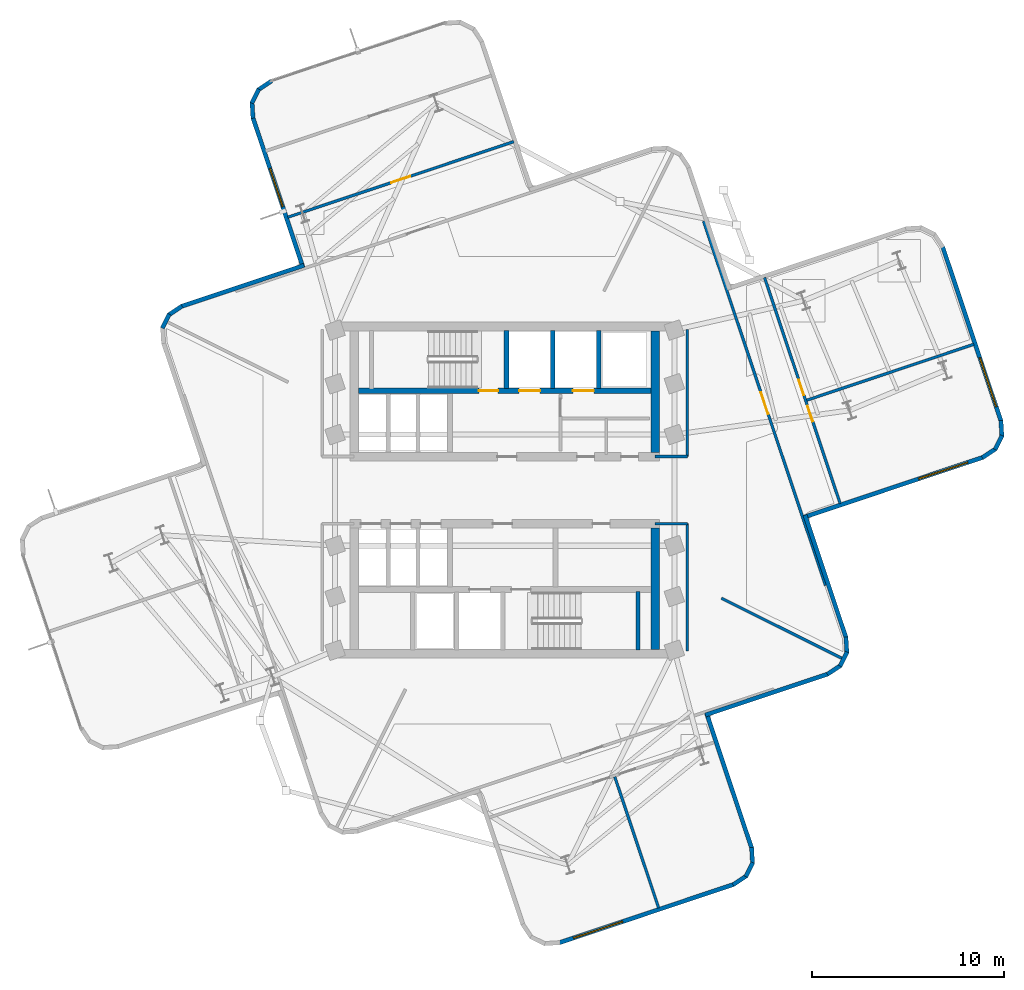
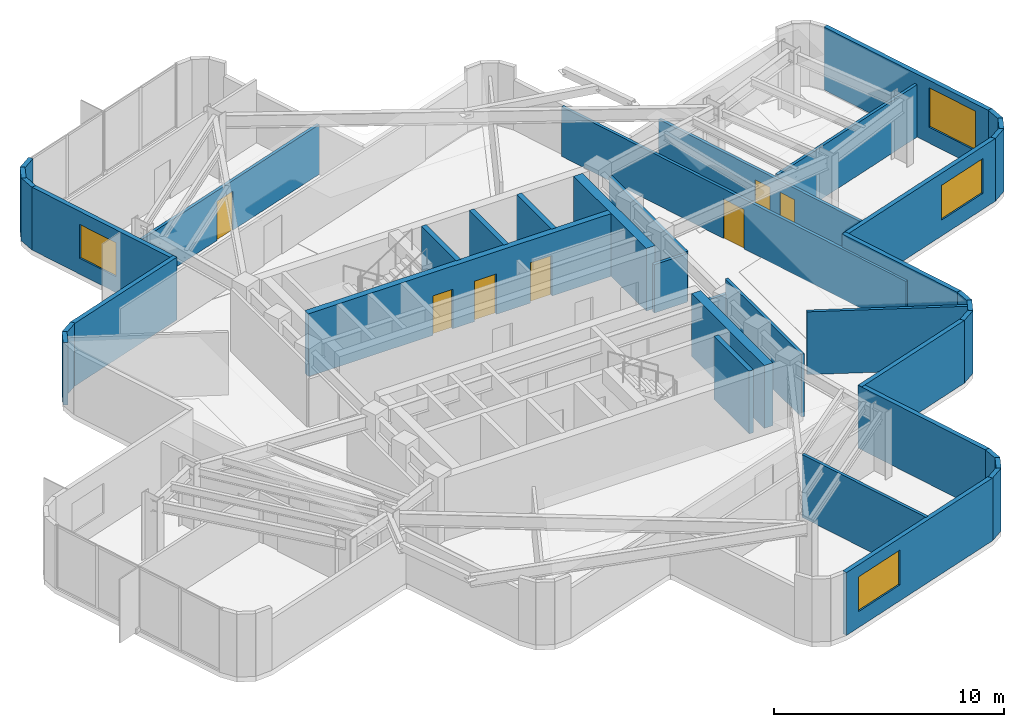
# One storey, part 8 of 12: 39 walls, 7 doors, 4 windows, 11 openings.
"""IFC4 building model written with IfcOpenShell, lengths in metres."""

from ifc_helpers import new_model, si_unit, direction, frame, frame_2d, origin, place, context, subcontext, project, spatial, rectangle, extrude, material, layer, layer_set, type_object, element, fill, save


model = new_model("IFC4")

# Units and contexts
model_context = context("Model", 3, precision=1e-05, world=origin(), true_north=direction((0.0, 1.0)))
body_context = subcontext(model_context, "Body", "Model", "MODEL_VIEW")
ifc_project = project(units=[si_unit("LENGTHUNIT", "METRE"), si_unit("AREAUNIT", "SQUARE_METRE"), si_unit("VOLUMEUNIT", "CUBIC_METRE"), si_unit("PLANEANGLEUNIT", "RADIAN"), si_unit("MASSUNIT", "GRAM", prefix="KILO")], contexts=[model_context])

# Site, building, storey
site_placement = place(None, origin())
site = spatial("IfcSite", under=ifc_project, at=site_placement, CompositionType="ELEMENT")
building_placement = place(site_placement, origin())
building = spatial("IfcBuilding", under=site, at=building_placement, Name="Solmarez Civic Tower", CompositionType="ELEMENT")
storey_placement = place(building_placement, frame((0.0, 0.0, 163.080078125)))
storey = spatial("IfcBuildingStorey", under=building, at=storey_placement, Name="L43", CompositionType="ELEMENT", Elevation=163.080078125)

# Walls
ifc_material_1 = material(Name="Concrete C50/60", Category="concrete")
ifc_layer_1 = layer(ifc_material_1, 0.449951171875)
ifc_layer_set_1 = layer_set([ifc_layer_1], Name="Concrete C50/60")
wall_type_1 = type_object("IfcWallType", Name="WALL-CORE-450", PredefinedType="SHEAR", material=ifc_layer_set_1)
for number, where, z_axis, x_axis, name in (
    (1, (7.844970703125, 8.31005859375, 0.0), (0.0, 0.0, 1.0), (0.0, -1.0, 0.0), "L43 Split-Core Structural Wall NCW-E-L43"),
    (2, (7.844970703125, -1.97509765625, 0.0), (0.0, 0.0, 1.0), (0.0, -1.0, 0.0), "L43 Split-Core Structural Wall SCW-E-L43"),
):
    element("IfcWall", number, at=place(storey_placement, frame(where, z_axis=z_axis, x_axis=x_axis)), inside=storey, type_object=wall_type_1, Name=name, PredefinedType="SHEAR", context=body_context, shape_type="SweptSolid", body=[
        extrude(rectangle(XDim=6.3349609375, YDim=0.449951171875, at=frame_2d((3.16748046875, 0.0))), origin(), (0.0, 0.0, 1.0), 3.33984375),
    ])
ifc_material_2 = material(Name="Precast concrete C40/50", Category="concrete")
ifc_layer_2 = layer(ifc_material_2, 0.219970703125)
ifc_layer_set_2 = layer_set([ifc_layer_2], Name="Precast concrete C40/50")
wall_type_2 = type_object("IfcWallType", Name="WALL-EXT-220", PredefinedType="SOLIDWALL", material=ifc_layer_set_2)
wall_1_placement = place(storey_placement, frame((-17.85693359375, 8.446044921875, 0.0), z_axis=(0.0, 0.0, 1.0), x_axis=(0.446258139106, 0.894904281631, 0.0)))
element("IfcWall", 3, at=wall_1_placement, inside=storey, type_object=wall_type_2, Name="L43 Exterior Precast Wall 15", PredefinedType="SOLIDWALL", context=body_context, shape_type="SweptSolid", body=[
    extrude(rectangle(XDim=0.81787109375, YDim=0.219970703125, at=frame_2d((0.408935546875, 0.0))), origin(), (0.0, 0.0, 1.0), 3.33984375),
])
wall_2_placement = place(storey_placement, frame((-17.52392578125, 9.14208984375, 0.0), z_axis=(0.0, 0.0, 1.0), x_axis=(0.833756011094, 0.552133058206, 0.0)))
element("IfcWall", 4, at=wall_2_placement, inside=storey, type_object=wall_type_2, Name="L43 Exterior Precast Wall 16", PredefinedType="SOLIDWALL", context=body_context, shape_type="SweptSolid", body=[
    extrude(rectangle(XDim=0.834716796875, YDim=0.219970703125, at=frame_2d((0.41748046875, 0.0))), origin(), (0.0, 0.0, 1.0), 3.33984375),
])
wall_3_placement = place(storey_placement, frame((-16.873046875, 9.5810546875, 0.0), z_axis=(0.0, 0.0, 1.0), x_axis=(0.94829606055, 0.317387116224, 0.0)))
element("IfcWall", 5, at=wall_3_placement, inside=storey, type_object=wall_type_2, Name="L43 Exterior Precast Wall 17", PredefinedType="SOLIDWALL", context=body_context, shape_type="SweptSolid", body=[
    extrude(rectangle(XDim=6.75830078125, YDim=0.219970703125, at=frame_2d((3.379150390625, 0.0))), origin(), (0.0, 0.0, 1.0), 3.33984375),
])

# Wall, opening, window
wall_4_placement = place(storey_placement, frame((-10.51904296875, 11.614990234375, 0.0), z_axis=(0.0, 0.0, 1.0), x_axis=(-0.317229741122, 0.948348718219, 0.0)))
wall_4 = element("IfcWall", 6, at=wall_4_placement, inside=storey, type_object=wall_type_2, Name="L43 Exterior Precast Wall 20", PredefinedType="SOLIDWALL", context=body_context, shape_type="SweptSolid", body=[
    extrude(rectangle(XDim=8.258544921875, YDim=0.219970703125, at=frame_2d((4.12939453125, 0.0))), origin(), (0.0, 0.0, 1.0), 3.33984375),
])
opening_1_placement = place(wall_4_placement, frame((3.35009765625, 0.0, 0.85009765625)))
opening_1 = element("IfcOpeningElement", 7, at=opening_1_placement, cuts=wall_4, Name="Opening W-07", PredefinedType="OPENING", context=body_context, shape_type="SweptSolid", body=[
    extrude(rectangle(XDim=2.10009765625, YDim=1.800048828125, at=frame_2d((1.050048828125, 0.89990234375))), frame((0.0, 0.119873046875, 0.0), z_axis=(0.0, -1.0, 0.0), x_axis=(1.0, 0.0, 0.0)), (0.0, 0.0, 1.0), 0.239990234375),
])
ifc_material_3 = material(Name="Solar Control Bronze-Tinted Insulating Glass", Category="glass")
window_type_1 = type_object("IfcWindowType", Name="WIN-2100X1800", PartitioningType="SINGLE_PANEL", PredefinedType="WINDOW", material=ifc_material_3)
window_1_placement = place(opening_1_placement, origin())
window_1 = element("IfcWindow", 8, at=window_1_placement, inside=storey, type_object=window_type_1, Name="L43 Exterior Facade Window 20", OverallHeight=1.800048828125, OverallWidth=2.10009765625, PartitioningType="SINGLE_PANEL", PredefinedType="WINDOW", context=body_context, shape_type="SweptSolid", body=[
    extrude(rectangle(XDim=2.10009765625, YDim=1.800048828125, at=frame_2d((1.050048828125, 0.89990234375))), frame((0.0, 0.030029296875, 0.0), z_axis=(0.0, -1.0, 0.0), x_axis=(1.0, 0.0, 0.0)), (0.0, 0.0, 1.0), 0.06005859375),
])
fill(opening_1, window_1)

# Walls
wall_5_placement = place(storey_placement, frame((-13.12890625, 19.39794921875, 0.0), z_axis=(0.0, 0.0, 1.0), x_axis=(-0.062378286155, 0.998052578483, 0.0)))
element("IfcWall", 9, at=wall_5_placement, inside=storey, type_object=wall_type_2, Name="L43 Exterior Precast Wall 21", PredefinedType="SOLIDWALL", context=body_context, shape_type="SweptSolid", body=[
    extrude(rectangle(XDim=0.833740234375, YDim=0.219970703125, at=frame_2d((0.4169921875, 0.0))), origin(), (0.0, 0.0, 1.0), 3.33984375),
])
wall_6_placement = place(storey_placement, frame((-13.18994140625, 20.18310546875, 0.0), z_axis=(0.0, 0.0, 1.0), x_axis=(0.445781750405, 0.895141682085, 0.0)))
element("IfcWall", 10, at=wall_6_placement, inside=storey, type_object=wall_type_2, Name="L43 Exterior Precast Wall 22", PredefinedType="SOLIDWALL", context=body_context, shape_type="SweptSolid", body=[
    extrude(rectangle(XDim=0.81884765625, YDim=0.219970703125, at=frame_2d((0.409423828125, 0.0))), origin(), (0.0, 0.0, 1.0), 3.33984375),
])
wall_7_placement = place(storey_placement, frame((-12.85693359375, 20.8798828125, 0.0), z_axis=(0.0, 0.0, 1.0), x_axis=(0.833621383437, 0.552336300706, 0.0)))
element("IfcWall", 11, at=wall_7_placement, inside=storey, type_object=wall_type_2, Name="L43 Exterior Precast Wall 23", PredefinedType="SOLIDWALL", context=body_context, shape_type="SweptSolid", body=[
    extrude(rectangle(XDim=0.8349609375, YDim=0.219970703125, at=frame_2d((0.41748046875, 0.0))), origin(), (0.0, 0.0, 1.0), 3.33984375),
])

# Wall, opening, window
wall_8_placement = place(storey_placement, frame((22.8359375, 12.714111328125, 0.0), z_axis=(0.0, 0.0, 1.0), x_axis=(0.317285610931, -0.94833002752, 0.0)))
wall_8 = element("IfcWall", 12, at=wall_8_placement, inside=storey, type_object=wall_type_2, Name="L43 Exterior Precast Wall 42", PredefinedType="SOLIDWALL", context=body_context, shape_type="SweptSolid", body=[
    extrude(rectangle(XDim=9.6220703125, YDim=0.219970703125, at=frame_2d((4.81103515625, 0.0))), origin(), (0.0, 0.0, 1.0), 3.33984375),
])
opening_2_placement = place(wall_8_placement, frame((6.1220703125, 0.0, 0.85009765625)))
opening_2 = element("IfcOpeningElement", 13, at=opening_2_placement, cuts=wall_8, Name="Opening W-01", PredefinedType="OPENING", context=body_context, shape_type="SweptSolid", body=[
    extrude(rectangle(XDim=2.699951171875, YDim=2.10009765625, at=frame_2d((1.35009765625, 1.050048828125))), frame((0.0, 0.119873046875, 0.0), z_axis=(0.0, -1.0, 0.0), x_axis=(1.0, 0.0, 0.0)), (0.0, 0.0, 1.0), 0.239990234375),
])
window_type_2 = type_object("IfcWindowType", Name="WIN-2700X2100", PartitioningType="SINGLE_PANEL", PredefinedType="WINDOW", material=ifc_material_3)
window_2_placement = place(opening_2_placement, origin())
window_2 = element("IfcWindow", 14, at=window_2_placement, inside=storey, type_object=window_type_2, Name="L43 Exterior Facade Window 42", OverallHeight=2.10009765625, OverallWidth=2.699951171875, PartitioningType="SINGLE_PANEL", PredefinedType="WINDOW", context=body_context, shape_type="SweptSolid", body=[
    extrude(rectangle(XDim=2.699951171875, YDim=2.10009765625, at=frame_2d((1.35009765625, 1.050048828125))), frame((0.0, 0.030029296875, 0.0), z_axis=(0.0, -1.0, 0.0), x_axis=(1.0, 0.0, 0.0)), (0.0, 0.0, 1.0), 0.06005859375),
])
fill(opening_2, window_2)

# Walls
wall_9_placement = place(storey_placement, frame((25.87890625, 3.637939453125, 0.0), z_axis=(0.0, 0.0, 1.0), x_axis=(0.062378286155, -0.998052578483, 0.0)))
element("IfcWall", 15, at=wall_9_placement, inside=storey, type_object=wall_type_2, Name="L43 Exterior Precast Wall 43", PredefinedType="SOLIDWALL", context=body_context, shape_type="SweptSolid", body=[
    extrude(rectangle(XDim=0.833740234375, YDim=0.219970703125, at=frame_2d((0.4169921875, 0.0))), origin(), (0.0, 0.0, 1.0), 3.33984375),
])
wall_10_placement = place(storey_placement, frame((25.93994140625, 2.85302734375, 0.0), z_axis=(0.0, 0.0, 1.0), x_axis=(-0.445781750405, -0.895141682085, 0.0)))
element("IfcWall", 16, at=wall_10_placement, inside=storey, type_object=wall_type_2, Name="L43 Exterior Precast Wall 44", PredefinedType="SOLIDWALL", context=body_context, shape_type="SweptSolid", body=[
    extrude(rectangle(XDim=0.81884765625, YDim=0.219970703125, at=frame_2d((0.409423828125, 0.0))), origin(), (0.0, 0.0, 1.0), 3.33984375),
])
wall_11_placement = place(storey_placement, frame((25.60693359375, 2.156005859375, 0.0), z_axis=(0.0, 0.0, 1.0), x_axis=(-0.833756011094, -0.552133058206, 0.0)))
element("IfcWall", 17, at=wall_11_placement, inside=storey, type_object=wall_type_2, Name="L43 Exterior Precast Wall 45", PredefinedType="SOLIDWALL", context=body_context, shape_type="SweptSolid", body=[
    extrude(rectangle(XDim=0.834716796875, YDim=0.219970703125, at=frame_2d((0.41748046875, 0.0))), origin(), (0.0, 0.0, 1.0), 3.33984375),
])

# Wall, opening, window
wall_12_placement = place(storey_placement, frame((24.9560546875, 1.717041015625, 0.0), z_axis=(0.0, 0.0, 1.0), x_axis=(-0.948331055834, -0.317282537404, 0.0)))
wall_12 = element("IfcWall", 18, at=wall_12_placement, inside=storey, type_object=wall_type_2, Name="L43 Exterior Precast Wall 46", PredefinedType="SOLIDWALL", context=body_context, shape_type="SweptSolid", body=[
    extrude(rectangle(XDim=9.8583984375, YDim=0.219970703125, at=frame_2d((4.92919921875, 0.0))), origin(), (0.0, 0.0, 1.0), 3.33984375),
])
opening_3_placement = place(wall_12_placement, frame((0.85009765625, 0.0, 0.85009765625)))
opening_3 = element("IfcOpeningElement", 19, at=opening_3_placement, cuts=wall_12, Name="Opening W-05", PredefinedType="OPENING", context=body_context, shape_type="SweptSolid", body=[
    extrude(rectangle(XDim=2.699951171875, YDim=1.85009765625, at=frame_2d((1.35009765625, 0.925048828125))), frame((0.0, 0.119873046875, 0.0), z_axis=(0.0, -1.0, 0.0), x_axis=(1.0, 0.0, 0.0)), (0.0, 0.0, 1.0), 0.239990234375),
])
window_type_3 = type_object("IfcWindowType", Name="WIN-2700X1850", PartitioningType="SINGLE_PANEL", PredefinedType="WINDOW", material=ifc_material_3)
window_3_placement = place(opening_3_placement, origin())
window_3 = element("IfcWindow", 20, at=window_3_placement, inside=storey, type_object=window_type_3, Name="L43 Exterior Facade Window 46", OverallHeight=1.85009765625, OverallWidth=2.699951171875, PartitioningType="SINGLE_PANEL", PredefinedType="WINDOW", context=body_context, shape_type="SweptSolid", body=[
    extrude(rectangle(XDim=2.699951171875, YDim=1.85009765625, at=frame_2d((1.35009765625, 0.925048828125))), frame((0.0, 0.030029296875, 0.0), z_axis=(0.0, -1.0, 0.0), x_axis=(1.0, 0.0, 0.0)), (0.0, 0.0, 1.0), 0.06005859375),
])
fill(opening_3, window_3)

# Walls
wall_13_placement = place(storey_placement, frame((15.662109375, -1.300048828125, 0.0), z_axis=(0.0, 0.0, 1.0), x_axis=(0.317224676093, -0.948350412494, 0.0)))
element("IfcWall", 21, at=wall_13_placement, inside=storey, type_object=wall_type_2, Name="L43 Exterior Precast Wall 49", PredefinedType="SOLIDWALL", context=body_context, shape_type="SweptSolid", body=[
    extrude(rectangle(XDim=6.758056640625, YDim=0.219970703125, at=frame_2d((3.37890625, 0.0))), origin(), (0.0, 0.0, 1.0), 3.33984375),
])
wall_14_placement = place(storey_placement, frame((17.7958984375, -7.659912109375, 0.0), z_axis=(0.0, 0.0, 1.0), x_axis=(0.062305442082, -0.998057128569, 0.0)))
element("IfcWall", 22, at=wall_14_placement, inside=storey, type_object=wall_type_2, Name="L43 Exterior Precast Wall 50", PredefinedType="SOLIDWALL", context=body_context, shape_type="SweptSolid", body=[
    extrude(rectangle(XDim=0.834716796875, YDim=0.219970703125, at=frame_2d((0.41748046875, 0.0))), origin(), (0.0, 0.0, 1.0), 3.33984375),
])
wall_15_placement = place(storey_placement, frame((17.85693359375, -8.446044921875, 0.0), z_axis=(0.0, 0.0, 1.0), x_axis=(-0.446258139106, -0.894904281631, 0.0)))
element("IfcWall", 23, at=wall_15_placement, inside=storey, type_object=wall_type_2, Name="L43 Exterior Precast Wall 51", PredefinedType="SOLIDWALL", context=body_context, shape_type="SweptSolid", body=[
    extrude(rectangle(XDim=0.81787109375, YDim=0.219970703125, at=frame_2d((0.408935546875, 0.0))), origin(), (0.0, 0.0, 1.0), 3.33984375),
])
wall_16_placement = place(storey_placement, frame((17.52392578125, -9.14208984375, 0.0), z_axis=(0.0, 0.0, 1.0), x_axis=(-0.833756011094, -0.552133058206, 0.0)))
element("IfcWall", 24, at=wall_16_placement, inside=storey, type_object=wall_type_2, Name="L43 Exterior Precast Wall 52", PredefinedType="SOLIDWALL", context=body_context, shape_type="SweptSolid", body=[
    extrude(rectangle(XDim=0.834716796875, YDim=0.219970703125, at=frame_2d((0.41748046875, 0.0))), origin(), (0.0, 0.0, 1.0), 3.33984375),
])
wall_17_placement = place(storey_placement, frame((16.873046875, -9.5810546875, 0.0), z_axis=(0.0, 0.0, 1.0), x_axis=(-0.94829606055, -0.317387116224, 0.0)))
element("IfcWall", 25, at=wall_17_placement, inside=storey, type_object=wall_type_2, Name="L43 Exterior Precast Wall 53", PredefinedType="SOLIDWALL", context=body_context, shape_type="SweptSolid", body=[
    extrude(rectangle(XDim=6.75830078125, YDim=0.219970703125, at=frame_2d((3.379150390625, 0.0))), origin(), (0.0, 0.0, 1.0), 3.33984375),
])
wall_18_placement = place(storey_placement, frame((10.51904296875, -11.614990234375, 0.0), z_axis=(0.0, 0.0, 1.0), x_axis=(0.317347016501, -0.948309480664, 0.0)))
element("IfcWall", 26, at=wall_18_placement, inside=storey, type_object=wall_type_2, Name="L43 Exterior Precast Wall 56", PredefinedType="SOLIDWALL", context=body_context, shape_type="SweptSolid", body=[
    extrude(rectangle(XDim=7.45849609375, YDim=0.219970703125, at=frame_2d((3.729248046875, 0.0))), origin(), (0.0, 0.0, 1.0), 3.33984375),
])
wall_19_placement = place(storey_placement, frame((12.876953125, -18.638916015625, 0.0), z_axis=(0.0, 0.0, 1.0), x_axis=(0.05880777677, -0.998269325078, 0.0)))
element("IfcWall", 27, at=wall_19_placement, inside=storey, type_object=wall_type_2, Name="L43 Exterior Precast Wall 57", PredefinedType="SOLIDWALL", context=body_context, shape_type="SweptSolid", body=[
    extrude(rectangle(XDim=0.83447265625, YDim=0.219970703125, at=frame_2d((0.417236328125, 0.0))), origin(), (0.0, 0.0, 1.0), 3.33984375),
])
wall_20_placement = place(storey_placement, frame((12.93603515625, -19.425048828125, 0.0), z_axis=(0.0, 0.0, 1.0), x_axis=(-0.446258139106, -0.894904281631, 0.0)))
element("IfcWall", 28, at=wall_20_placement, inside=storey, type_object=wall_type_2, Name="L43 Exterior Precast Wall 58", PredefinedType="SOLIDWALL", context=body_context, shape_type="SweptSolid", body=[
    extrude(rectangle(XDim=0.81787109375, YDim=0.219970703125, at=frame_2d((0.408935546875, 0.0))), origin(), (0.0, 0.0, 1.0), 3.33984375),
])
wall_21_placement = place(storey_placement, frame((12.60302734375, -20.12109375, 0.0), z_axis=(0.0, 0.0, 1.0), x_axis=(-0.833756011094, -0.552133058206, 0.0)))
element("IfcWall", 29, at=wall_21_placement, inside=storey, type_object=wall_type_2, Name="L43 Exterior Precast Wall 59", PredefinedType="SOLIDWALL", context=body_context, shape_type="SweptSolid", body=[
    extrude(rectangle(XDim=0.834716796875, YDim=0.219970703125, at=frame_2d((0.41748046875, 0.0))), origin(), (0.0, 0.0, 1.0), 3.33984375),
])

# Wall, opening, window
wall_22_placement = place(storey_placement, frame((11.951904296875, -20.56005859375, 0.0), z_axis=(0.0, 0.0, 1.0), x_axis=(-0.94831980895, -0.317316151421, 0.0)))
wall_22 = element("IfcWall", 30, at=wall_22_placement, inside=storey, type_object=wall_type_2, Name="L43 Exterior Precast Wall 60", PredefinedType="SOLIDWALL", context=body_context, shape_type="SweptSolid", body=[
    extrude(rectangle(XDim=9.621337890625, YDim=0.219970703125, at=frame_2d((4.810546875, 0.0))), origin(), (0.0, 0.0, 1.0), 3.33984375),
])
opening_4_placement = place(wall_22_placement, frame((6.12109375, 0.0, 0.85009765625)))
opening_4 = element("IfcOpeningElement", 31, at=opening_4_placement, cuts=wall_22, Name="Opening W-05", PredefinedType="OPENING", context=body_context, shape_type="SweptSolid", body=[
    extrude(rectangle(XDim=2.699951171875, YDim=1.85009765625, at=frame_2d((1.35009765625, 0.925048828125))), frame((0.0, 0.119873046875, 0.0), z_axis=(0.0, -1.0, 0.0), x_axis=(1.0, 0.0, 0.0)), (0.0, 0.0, 1.0), 0.239990234375),
])
window_4_placement = place(opening_4_placement, origin())
window_4 = element("IfcWindow", 32, at=window_4_placement, inside=storey, type_object=window_type_3, Name="L43 Exterior Facade Window 60", OverallHeight=1.85009765625, OverallWidth=2.699951171875, PartitioningType="SINGLE_PANEL", PredefinedType="WINDOW", context=body_context, shape_type="SweptSolid", body=[
    extrude(rectangle(XDim=2.699951171875, YDim=1.85009765625, at=frame_2d((1.35009765625, 0.925048828125))), frame((0.0, 0.030029296875, 0.0), z_axis=(0.0, -1.0, 0.0), x_axis=(1.0, 0.0, 0.0)), (0.0, 0.0, 1.0), 0.06005859375),
])
fill(opening_4, window_4)

# Walls
ifc_material_4 = material(Name="Gypsum Board Acoustic Steel-Stud Partition", Category="steel")
ifc_layer_3 = layer(ifc_material_4, 0.14990234375)
ifc_layer_set_3 = layer_set([ifc_layer_3], Name="Gypsum Board Acoustic Steel-Stud Partition")
wall_type_3 = type_object("IfcWallType", Name="WALL-INT-FIRE-150", PredefinedType="PARTITIONING", material=ifc_layer_set_3)
wall_23_placement = place(storey_placement, frame((9.52001953125, 1.75, 0.0), z_axis=(0.0, 0.0, 1.0), x_axis=(0.0, 1.0, 0.0)))
element("IfcWall", 33, at=wall_23_placement, inside=storey, type_object=wall_type_3, Name="L43 Interior Partition CHW-L43-EN1", PredefinedType="PARTITIONING", context=body_context, shape_type="SweptSolid", body=[
    extrude(rectangle(XDim=6.6298828125, YDim=0.14990234375, at=frame_2d((3.31494140625, 0.0))), origin(), (0.0, 0.0, 1.0), 2.64404296875),
])
wall_24_placement = place(storey_placement, frame((7.85009765625, 1.75, 0.0), z_axis=(0.0, 0.0, 1.0), x_axis=(1.0, 0.0, 0.0)))
element("IfcWall", 34, at=wall_24_placement, inside=storey, type_object=wall_type_3, Name="L43 Interior Partition CHW-L43-EN3", PredefinedType="PARTITIONING", context=body_context, shape_type="SweptSolid", body=[
    extrude(rectangle(XDim=1.669921875, YDim=0.14990234375, at=frame_2d((0.8349609375, 0.0))), origin(), (0.0, 0.0, 1.0), 2.56982421875),
])
wall_25_placement = place(storey_placement, frame((9.52001953125, -8.3798828125, 0.0), z_axis=(0.0, 0.0, 1.0), x_axis=(0.0, 1.0, 0.0)))
element("IfcWall", 35, at=wall_25_placement, inside=storey, type_object=wall_type_3, Name="L43 Interior Partition CHW-L43-ES1", PredefinedType="PARTITIONING", context=body_context, shape_type="SweptSolid", body=[
    extrude(rectangle(XDim=6.6298828125, YDim=0.14990234375, at=frame_2d((3.31494140625, 0.0))), origin(), (0.0, 0.0, 1.0), 3.33984375),
])
wall_26_placement = place(storey_placement, frame((7.85009765625, -1.75, 0.0), z_axis=(0.0, 0.0, 1.0), x_axis=(1.0, 0.0, 0.0)))
element("IfcWall", 36, at=wall_26_placement, inside=storey, type_object=wall_type_3, Name="L43 Interior Partition CHW-L43-ES3", PredefinedType="PARTITIONING", context=body_context, shape_type="SweptSolid", body=[
    extrude(rectangle(XDim=1.669921875, YDim=0.14990234375, at=frame_2d((0.8349609375, 0.0))), origin(), (0.0, 0.0, 1.0), 2.56982421875),
])
ifc_layer_4 = layer(ifc_material_4, 0.14501953125)
ifc_layer_set_4 = layer_set([ifc_layer_4], Name="Gypsum Board Acoustic Steel-Stud Partition")
wall_type_4 = type_object("IfcWallType", Name="WALL-INT-PART-150", PredefinedType="PARTITIONING", material=ifc_layer_set_4)
wall_27_placement = place(storey_placement, frame((11.300048828125, -5.634033203125, 0.0), z_axis=(0.0, 0.0, 1.0), x_axis=(0.894904738475, -0.446257222972, 0.0)))
element("IfcWall", 37, at=wall_27_placement, inside=storey, type_object=wall_type_4, Name="L43 Interior Partition PT-L43-QDIV-4", PredefinedType="PARTITIONING", context=body_context, shape_type="SweptSolid", body=[
    extrude(rectangle(XDim=7.047607421875, YDim=0.14501953125, at=frame_2d((3.52392578125, 0.0))), origin(), (0.0, 0.0, 1.0), 3.33984375),
])

# Wall, opening, door
wall_28_placement = place(storey_placement, frame((10.3720703125, 14.037109375, 0.0), z_axis=(0.0, 0.0, 1.0), x_axis=(0.317298382655, -0.94832575435, 0.0)))
wall_28 = element("IfcWall", 38, at=wall_28_placement, inside=storey, type_object=wall_type_4, Name="L43 Interior Partition PT-L43-E-ENT", PredefinedType="PARTITIONING", context=body_context, shape_type="SweptSolid", body=[
    extrude(rectangle(XDim=20.040771484375, YDim=0.14501953125, at=frame_2d((10.0205078125, 0.0))), origin(), (0.0, 0.0, 1.0), 2.64404296875),
])
opening_5_placement = place(wall_28_placement, frame((9.419921875, 0.0, 0.0)))
opening_5 = element("IfcOpeningElement", 39, at=opening_5_placement, cuts=wall_28, Name="Opening D-11", PredefinedType="OPENING", context=body_context, shape_type="SweptSolid", body=[
    extrude(rectangle(XDim=1.199951171875, YDim=2.10009765625, at=frame_2d((0.60009765625, 1.050048828125))), frame((0.0, 0.08251953125, 0.0), z_axis=(0.0, -1.0, 0.0), x_axis=(1.0, 0.0, 0.0)), (0.0, 0.0, 1.0), 0.1650390625),
])
ifc_material_5 = material(Name="Glazed-Vision Acoustic Chamber Door", Category="wood")
door_type_1 = type_object("IfcDoorType", Name="DOOR-INT-1200", OperationType="NOTDEFINED", PredefinedType="DOOR", material=ifc_material_5)
door_1_placement = place(opening_5_placement, origin())
door_1 = element("IfcDoor", 40, at=door_1_placement, inside=storey, type_object=door_type_1, Name="L43 Tribunal Chamber Public Reception Room First East Door", OperationType="SINGLE_SWING_LEFT", OverallHeight=2.10009765625, OverallWidth=1.199951171875, PredefinedType="DOOR", context=body_context, shape_type="SweptSolid", body=[
    extrude(rectangle(XDim=1.199951171875, YDim=2.10009765625, at=frame_2d((0.60009765625, 1.050048828125))), frame((0.0, 0.02490234375, 0.0), z_axis=(0.0, -1.0, 0.0), x_axis=(1.0, 0.0, 0.0)), (0.0, 0.0, 1.0), 0.050048828125),
])
fill(opening_5, door_1)

# Wall
wall_29_placement = place(storey_placement, frame((15.7548828125, 4.69189453125, 0.0), z_axis=(0.0, 0.0, 1.0), x_axis=(0.94831322287, 0.317335833667, 0.0)))
element("IfcWall", 41, at=wall_29_placement, inside=storey, type_object=wall_type_4, Name="L43 Interior Partition PT-L43-E-TSP", PredefinedType="PARTITIONING", context=body_context, shape_type="SweptSolid", body=[
    extrude(rectangle(XDim=9.18603515625, YDim=0.14501953125, at=frame_2d((4.593017578125, 0.0))), origin(), (0.0, 0.0, 1.0), 2.79296875),
])

# Wall, openings, doors
wall_30_placement = place(storey_placement, frame((17.49609375, -0.699951171875, 0.0), z_axis=(0.0, 0.0, 1.0), x_axis=(-0.317299961245, 0.948325226172, 0.0)))
wall_30 = element("IfcWall", 42, at=wall_30_placement, inside=storey, type_object=wall_type_4, Name="L43 Interior Partition PT-L43-E-SCUT", PredefinedType="PARTITIONING", context=body_context, shape_type="SweptSolid", body=[
    extrude(rectangle(XDim=12.43017578125, YDim=0.14501953125, at=frame_2d((6.215087890625, 0.0))), origin(), (0.0, 0.0, 1.0), 2.64404296875),
])
opening_6_placement = place(wall_30_placement, frame((4.514892578125, 0.0, 0.0)))
opening_6 = element("IfcOpeningElement", 43, at=opening_6_placement, cuts=wall_30, Name="Opening D-14", PredefinedType="OPENING", context=body_context, shape_type="SweptSolid", body=[
    extrude(rectangle(XDim=0.860107421875, YDim=2.0400390625, at=frame_2d((0.43017578125, 1.02001953125))), frame((0.0, 0.08251953125, 0.0), z_axis=(0.0, -1.0, 0.0), x_axis=(1.0, 0.0, 0.0)), (0.0, 0.0, 1.0), 0.1650390625),
])
opening_7_placement = place(wall_30_placement, frame((5.955078125, 0.0, 0.0)))
opening_7 = element("IfcOpeningElement", 44, at=opening_7_placement, cuts=wall_30, Name="Opening D-14", PredefinedType="OPENING", context=body_context, shape_type="SweptSolid", body=[
    extrude(rectangle(XDim=0.860107421875, YDim=2.0400390625, at=frame_2d((0.43017578125, 1.02001953125))), frame((0.0, 0.08251953125, 0.0), z_axis=(0.0, -1.0, 0.0), x_axis=(1.0, 0.0, 0.0)), (0.0, 0.0, 1.0), 0.1650390625),
])
ifc_material_6 = material(Name="Timber Storage and Pantry Door", Category="wood")
door_type_2 = type_object("IfcDoorType", Name="DOOR-INT-850", OperationType="NOTDEFINED", PredefinedType="DOOR", material=ifc_material_6)
door_2_placement = place(opening_6_placement, origin())
door_2 = element("IfcDoor", 45, at=door_2_placement, inside=storey, type_object=door_type_2, Name="L43 Security Control Room Third East Door", OperationType="SINGLE_SWING_RIGHT", OverallHeight=2.0400390625, OverallWidth=0.860107421875, PredefinedType="DOOR", context=body_context, shape_type="SweptSolid", body=[
    extrude(rectangle(XDim=0.860107421875, YDim=2.0400390625, at=frame_2d((0.43017578125, 1.02001953125))), frame((0.0, 0.02490234375, 0.0), z_axis=(0.0, -1.0, 0.0), x_axis=(1.0, 0.0, 0.0)), (0.0, 0.0, 1.0), 0.050048828125),
])
fill(opening_6, door_2)
door_3_placement = place(opening_7_placement, origin())
door_3 = element("IfcDoor", 46, at=door_3_placement, inside=storey, type_object=door_type_2, Name="L43 Delegation Concierge Room Second East Door", OperationType="SINGLE_SWING_LEFT", OverallHeight=2.0400390625, OverallWidth=0.860107421875, PredefinedType="DOOR", context=body_context, shape_type="SweptSolid", body=[
    extrude(rectangle(XDim=0.860107421875, YDim=2.0400390625, at=frame_2d((0.43017578125, 1.02001953125))), frame((0.0, 0.02490234375, 0.0), z_axis=(0.0, -1.0, 0.0), x_axis=(1.0, 0.0, 0.0)), (0.0, 0.0, 1.0), 0.050048828125),
])
fill(opening_7, door_3)

# Wall, opening, door
wall_31_placement = place(storey_placement, frame((-11.31689453125, 14.235107421875, 0.0), z_axis=(0.0, 0.0, 1.0), x_axis=(0.948331136084, 0.317282297544, 0.0)))
wall_31 = element("IfcWall", 47, at=wall_31_placement, inside=storey, type_object=wall_type_4, Name="L43 Interior Partition PT-L43-N-SC1", PredefinedType="PARTITIONING", context=body_context, shape_type="SweptSolid", body=[
    extrude(rectangle(XDim=12.43017578125, YDim=0.14501953125, at=frame_2d((6.215087890625, 0.0))), origin(), (0.0, 0.0, 1.0), 2.64404296875),
])
opening_8_placement = place(wall_31_placement, frame((5.68994140625, 0.0, 0.0)))
opening_8 = element("IfcOpeningElement", 48, at=opening_8_placement, cuts=wall_31, Name="Opening D-13", PredefinedType="OPENING", context=body_context, shape_type="SweptSolid", body=[
    extrude(rectangle(XDim=1.050048828125, YDim=2.080078125, at=frame_2d((0.52490234375, 1.0400390625))), frame((0.0, 0.08251953125, 0.0), z_axis=(0.0, -1.0, 0.0), x_axis=(1.0, 0.0, 0.0)), (0.0, 0.0, 1.0), 0.1650390625),
])
ifc_material_7 = material(Name="Timber Directorate Office Door", Category="wood")
door_type_3 = type_object("IfcDoorType", Name="DOOR-INT-1050", OperationType="NOTDEFINED", PredefinedType="DOOR", material=ifc_material_7)
door_4_placement = place(opening_8_placement, origin())
door_4 = element("IfcDoor", 49, at=door_4_placement, inside=storey, type_object=door_type_3, Name="L43 Security Control Room North Door", OperationType="SINGLE_SWING_LEFT", OverallHeight=2.080078125, OverallWidth=1.050048828125, PredefinedType="DOOR", context=body_context, shape_type="SweptSolid", body=[
    extrude(rectangle(XDim=1.050048828125, YDim=2.080078125, at=frame_2d((0.52490234375, 1.0400390625))), frame((0.0, 0.02490234375, 0.0), z_axis=(0.0, -1.0, 0.0), x_axis=(1.0, 0.0, 0.0)), (0.0, 0.0, 1.0), 0.050048828125),
])
fill(opening_8, door_4)

# Wall
wall_32_placement = place(storey_placement, frame((5.740966796875, -14.950927734375, 0.0), z_axis=(0.0, 0.0, 1.0), x_axis=(0.317273194857, -0.948334181513, 0.0)))
element("IfcWall", 50, at=wall_32_placement, inside=storey, type_object=wall_type_4, Name="L43 Interior Partition PT-L43-S-TM3", PredefinedType="PARTITIONING", context=body_context, shape_type="SweptSolid", body=[
    extrude(rectangle(XDim=7.21484375, YDim=0.14501953125, at=frame_2d((3.607421875, 0.0))), origin(), (0.0, 0.0, 1.0), 3.33984375),
])

# Wall, openings, doors
ifc_layer_5 = layer(ifc_material_1, 0.300048828125)
ifc_layer_set_5 = layer_set([ifc_layer_5], Name="Concrete C50/60")
wall_type_5 = type_object("IfcWallType", Name="WALL-STR-300", PredefinedType="SOLIDWALL", material=ifc_layer_set_5)
wall_33_placement = place(storey_placement, frame((7.6201171875, 5.179931640625, 0.0), z_axis=(0.0, 0.0, 1.0), x_axis=(-1.0, 0.0, 0.0)))
wall_33 = element("IfcWall", 51, at=wall_33_placement, inside=storey, type_object=wall_type_5, Name="L43 Split-Core Structural Wall NCW-M-L43", PredefinedType="SOLIDWALL", context=body_context, shape_type="SweptSolid", body=[
    extrude(rectangle(XDim=15.240234375, YDim=0.300048828125, at=frame_2d((7.6201171875, 0.0))), origin(), (0.0, 0.0, 1.0), 3.33984375),
])
opening_9_placement = place(wall_33_placement, frame((5.77001953125, 0.0, 0.0)))
opening_9 = element("IfcOpeningElement", 52, at=opening_9_placement, cuts=wall_33, Name="Opening LD-02", PredefinedType="OPENING", context=body_context, shape_type="SweptSolid", body=[
    extrude(rectangle(XDim=1.10009765625, YDim=2.14990234375, at=frame_2d((0.550048828125, 1.074951171875))), frame((0.0, 0.159912109375, 0.0), z_axis=(0.0, -1.0, 0.0), x_axis=(1.0, 0.0, 0.0)), (0.0, 0.0, 1.0), 0.320068359375),
])
opening_10_placement = place(wall_33_placement, frame((2.969970703125, 0.0, 0.0)))
opening_10 = element("IfcOpeningElement", 53, at=opening_10_placement, cuts=wall_33, Name="Opening LD-03", PredefinedType="OPENING", context=body_context, shape_type="SweptSolid", body=[
    extrude(rectangle(XDim=1.10009765625, YDim=2.14990234375, at=frame_2d((0.550048828125, 1.074951171875))), frame((0.0, 0.159912109375, 0.0), z_axis=(0.0, -1.0, 0.0), x_axis=(1.0, 0.0, 0.0)), (0.0, 0.0, 1.0), 0.320068359375),
])
opening_11_placement = place(wall_33_placement, frame((7.969970703125, 0.0, 0.0)))
opening_11 = element("IfcOpeningElement", 54, at=opening_11_placement, cuts=wall_33, Name="Opening D-05", PredefinedType="OPENING", context=body_context, shape_type="SweptSolid", body=[
    extrude(rectangle(XDim=1.0, YDim=2.10009765625, at=frame_2d((0.5, 1.050048828125))), frame((0.0, 0.159912109375, 0.0), z_axis=(0.0, -1.0, 0.0), x_axis=(1.0, 0.0, 0.0)), (0.0, 0.0, 1.0), 0.320068359375),
])
ifc_material_8 = material(Name="Fire-Rated Stairwell Exit Door", Category="wood")
door_type_4 = type_object("IfcDoorType", Name="DOOR-FD90-1000", OperationType="NOTDEFINED", PredefinedType="DOOR", material=ifc_material_8)
door_5_placement = place(opening_11_placement, origin())
door_5 = element("IfcDoor", 55, at=door_5_placement, inside=storey, type_object=door_type_4, Name="L43 North Exit Stair Door ST-1", OperationType="SINGLE_SWING_RIGHT", OverallHeight=2.10009765625, OverallWidth=1.0, PredefinedType="DOOR", context=body_context, shape_type="SweptSolid", body=[
    extrude(rectangle(XDim=1.0, YDim=2.10009765625, at=frame_2d((0.5, 1.050048828125))), frame((0.0, 0.02490234375, 0.0), z_axis=(0.0, -1.0, 0.0), x_axis=(1.0, 0.0, 0.0)), (0.0, 0.0, 1.0), 0.050048828125),
])
fill(opening_11, door_5)
ifc_material_9 = material(Name="Stainless Firefighting Lift Landing Sliding Door", Category="aluminium")
door_type_5 = type_object("IfcDoorType", Name="DOOR-LD-FF-1100", OperationType="DOUBLE_DOOR_SLIDING", PredefinedType="DOOR", material=ifc_material_9)
door_6_placement = place(opening_9_placement, origin())
door_6 = element("IfcDoor", 56, at=door_6_placement, inside=storey, type_object=door_type_5, Name="L43 Firefighting Lift Landing Door FFL-1", OperationType="DOUBLE_DOOR_SLIDING", OverallHeight=2.14990234375, OverallWidth=1.10009765625, PredefinedType="DOOR", context=body_context, shape_type="SweptSolid", body=[
    extrude(rectangle(XDim=1.10009765625, YDim=2.14990234375, at=frame_2d((0.550048828125, 1.074951171875))), frame((0.0, 0.02490234375, 0.0), z_axis=(0.0, -1.0, 0.0), x_axis=(1.0, 0.0, 0.0)), (0.0, 0.0, 1.0), 0.050048828125),
])
fill(opening_9, door_6)
ifc_material_10 = material(Name="Stainless Stretcher Lift Landing Sliding Door", Category="aluminium")
door_type_6 = type_object("IfcDoorType", Name="DOOR-LD-SV-1100", OperationType="DOUBLE_DOOR_SLIDING", PredefinedType="DOOR", material=ifc_material_10)
door_7_placement = place(opening_10_placement, origin())
door_7 = element("IfcDoor", 57, at=door_7_placement, inside=storey, type_object=door_type_6, Name="L43 Service Stretcher Lift Landing Door SVL-1", OperationType="DOUBLE_DOOR_SLIDING", OverallHeight=2.14990234375, OverallWidth=1.10009765625, PredefinedType="DOOR", context=body_context, shape_type="SweptSolid", body=[
    extrude(rectangle(XDim=1.10009765625, YDim=2.14990234375, at=frame_2d((0.550048828125, 1.074951171875))), frame((0.0, 0.02490234375, 0.0), z_axis=(0.0, -1.0, 0.0), x_axis=(1.0, 0.0, 0.0)), (0.0, 0.0, 1.0), 0.050048828125),
])
fill(opening_10, door_7)

# Walls
wall_34_placement = place(storey_placement, frame((6.949951171875, -8.340087890625, 0.0), z_axis=(0.0, 0.0, 1.0), x_axis=(0.0, 1.0, 0.0)))
element("IfcWall", 58, at=wall_34_placement, inside=storey, type_object=wall_type_5, Name="L43 Split-Core Structural Wall SHW-SE-L43", PredefinedType="SOLIDWALL", context=body_context, shape_type="SweptSolid", body=[
    extrude(rectangle(XDim=3.06005859375, YDim=0.219970703125, at=frame_2d((1.530029296875, 0.0))), origin(), (0.0, 0.0, 1.0), 3.33984375),
])
for number, where, z_axis, x_axis, name in (
    (59, (0.10009765625, 5.300048828125, 0.0), (0.0, 0.0, 1.0), (0.0, 1.0, 0.0), "L43 Split-Core Structural Wall SHW-N1-L43"),
    (60, (2.5, 5.300048828125, 0.0), (0.0, 0.0, 1.0), (0.0, 1.0, 0.0), "L43 Split-Core Structural Wall SHW-N2-L43"),
    (61, (4.89990234375, 5.300048828125, 0.0), (0.0, 0.0, 1.0), (0.0, 1.0, 0.0), "L43 Split-Core Structural Wall SHW-N3-L43"),
):
    element("IfcWall", number, at=place(storey_placement, frame(where, z_axis=z_axis, x_axis=x_axis)), inside=storey, type_object=wall_type_5, Name=name, PredefinedType="SOLIDWALL", context=body_context, shape_type="SweptSolid", body=[
        extrude(rectangle(XDim=3.0400390625, YDim=0.25, at=frame_2d((1.52001953125, 0.0))), origin(), (0.0, 0.0, 1.0), 3.33984375),
    ])

save(model, "model.ifc")
